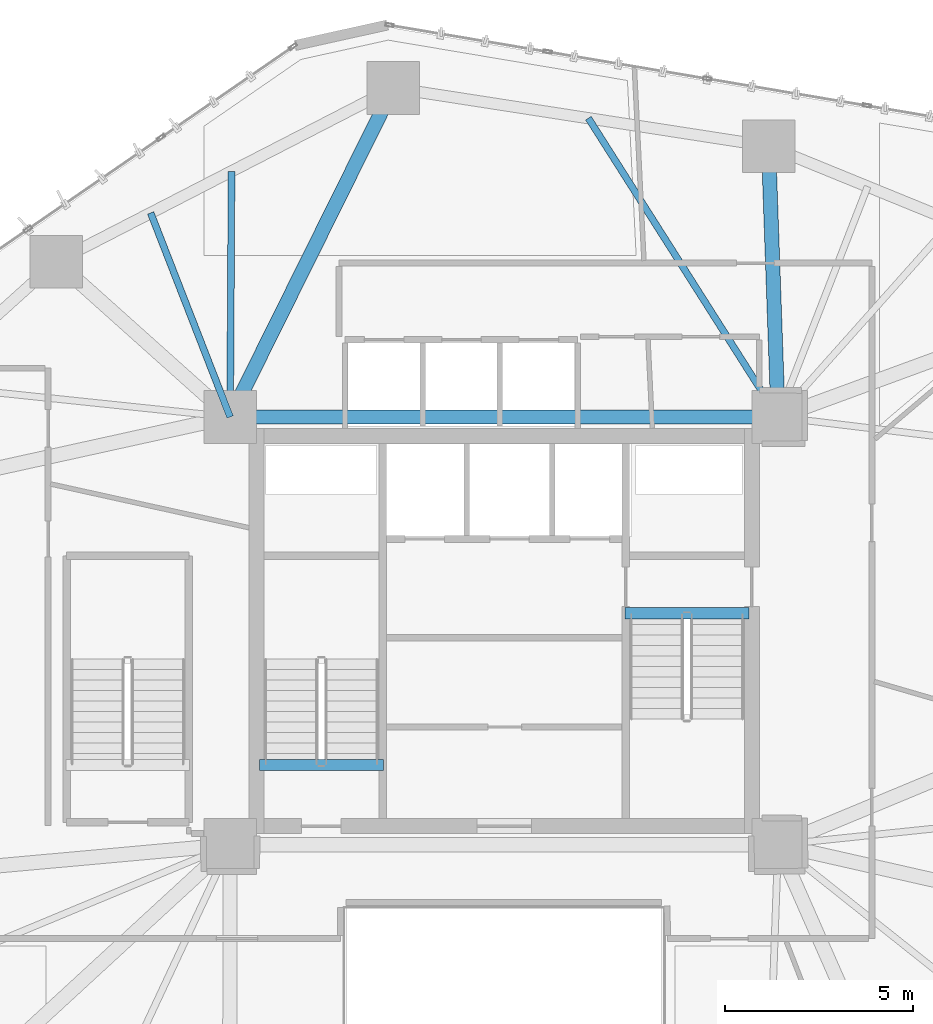
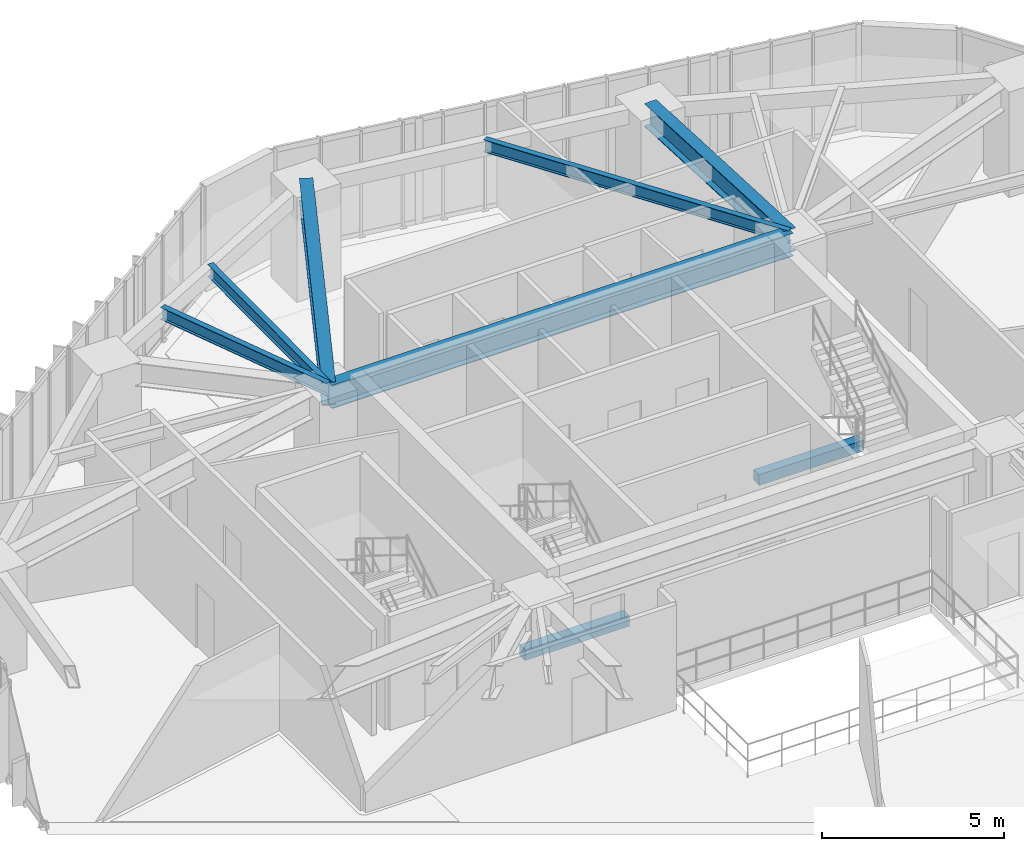
# One storey, part 7 of 21: 8 beams.
"""IFC4 building model written with IfcOpenShell, lengths in metres."""

from ifc_helpers import new_model, si_unit, direction, frame, origin, origin_2d, place, context, subcontext, project, spatial, rectangle, i_section, extrude, material, material_profile, profile_set, type_object, element, save


model = new_model("IFC4")

# Units and contexts
model_context = context("Model", 3, precision=1e-05, world=origin(), true_north=direction((0.0, 1.0)))
body_context = subcontext(model_context, "Body", "Model", "MODEL_VIEW")
ifc_project = project(units=[si_unit("LENGTHUNIT", "METRE"), si_unit("AREAUNIT", "SQUARE_METRE"), si_unit("VOLUMEUNIT", "CUBIC_METRE"), si_unit("PLANEANGLEUNIT", "RADIAN"), si_unit("MASSUNIT", "GRAM", prefix="KILO")], contexts=[model_context])

# Site, building, storey
site_placement = place(None, origin())
site = spatial("IfcSite", under=ifc_project, at=site_placement, CompositionType="ELEMENT")
building_placement = place(site_placement, origin())
building = spatial("IfcBuilding", under=site, at=building_placement, Name="Talar Marvaseh", CompositionType="ELEMENT")
storey_placement = place(building_placement, frame((0.0, 0.0, 62.0)))
storey = spatial("IfcBuildingStorey", under=building, at=storey_placement, Name="L15", CompositionType="ELEMENT", Elevation=62.0)

# Beams
ifc_material_1 = material(Name="Concrete C40/50", Category="concrete")
ifc_material_profile_1 = material_profile(ifc_material_1, rectangle(XDim=0.300048828125, YDim=0.360107421875, at=origin_2d()), Name="RC300x360")
ifc_profile_set_1 = profile_set([ifc_material_profile_1], Name="Concrete C40/50")
beam_type_1 = type_object("IfcBeamType", Name="Concrete Stair Landing Trimmer Beam RC300x360", PredefinedType="SPANDREL", material=ifc_profile_set_1)
for number, where, z_axis, x_axis, name in (
    (1, (22.780029296875, 27.6298828125, -0.179931640625), (-1.0, 0.0, 0.0), (0.0, -1.0, 0.0), "L15 ST-1 Stair Nosing Trimmer Beam"),
    (2, (29.219970703125, 31.669921875, -0.179931640625), (1.0, 0.0, 0.0), (0.0, 1.0, 0.0), "L15 ST-2 Stair Nosing Trimmer Beam"),
):
    element("IfcBeam", number, at=place(storey_placement, frame(where, z_axis=z_axis, x_axis=x_axis)), inside=storey, type_object=beam_type_1, Name=name, PredefinedType="SPANDREL", context=body_context, shape_type="SweptSolid", body=[
        extrude(rectangle(XDim=0.300048828125, YDim=0.360107421875, at=origin_2d()), origin(), (0.0, 0.0, 1.0), 3.300048828125),
    ])
ifc_material_2 = material(Name="Steel S355", Category="steel")
ifc_material_profile_2 = material_profile(ifc_material_2, i_section(OverallWidth=0.381103515625, OverallDepth=0.77294921875, WebThickness=0.0166015625, FlangeThickness=0.027099609375, at=origin_2d()), Name="W760x257")
ifc_profile_set_2 = profile_set([ifc_material_profile_2], Name="Steel S355")
beam_type_2 = type_object("IfcBeamType", Name="Zone 1 Radial Floor Girder W760x257", PredefinedType="BEAM", material=ifc_profile_set_2)
beam_1_placement = place(storey_placement, frame((18.699951171875, 36.89990234375, 3.133544921875), z_axis=(1.0, 0.0, 0.0), x_axis=(0.0, 1.0, 0.0)))
element("IfcBeam", 3, at=beam_1_placement, inside=storey, type_object=beam_type_2, Name="L15 Zone 1 Radial Floor Girder W760x257", PredefinedType="BEAM", context=body_context, shape_type="SweptSolid", body=[
    extrude(i_section(OverallWidth=0.381103515625, OverallDepth=0.77294921875, WebThickness=0.0166015625, FlangeThickness=0.027099609375, at=origin_2d()), origin(), (0.0, 0.0, 1.0), 14.60009765625),
])
beam_2_placement = place(storey_placement, frame((23.047119140625, 45.6669921875, 3.133544921875), z_axis=(-0.444237233911, -0.895909191831, 0.0), x_axis=(0.895909191831, -0.444237233911, 0.0)))
element("IfcBeam", 4, at=beam_2_placement, inside=storey, type_object=beam_type_2, Name="L15 Zone 1 Radial Floor Girder W760x257", PredefinedType="BEAM", context=body_context, shape_type="SweptSolid", body=[
    extrude(i_section(OverallWidth=0.381103515625, OverallDepth=0.77294921875, WebThickness=0.0166015625, FlangeThickness=0.027099609375, at=origin_2d()), origin(), (0.0, 0.0, 1.0), 9.78564453125),
])
beam_3_placement = place(storey_placement, frame((33.0458984375, 44.117919921875, 3.133544921875), z_axis=(0.03518874657, -0.999380684281, 0.0), x_axis=(0.999380684281, 0.03518874657, 0.0)))
element("IfcBeam", 5, at=beam_3_placement, inside=storey, type_object=beam_type_2, Name="L15 Zone 1 Radial Floor Girder W760x257", PredefinedType="BEAM", context=body_context, shape_type="SweptSolid", body=[
    extrude(i_section(OverallWidth=0.381103515625, OverallDepth=0.77294921875, WebThickness=0.0166015625, FlangeThickness=0.027099609375, at=origin_2d()), origin(), (0.0, 0.0, 1.0), 7.222412109375),
])
ifc_material_profile_3 = material_profile(ifc_material_2, i_section(OverallWidth=0.179931640625, OverallDepth=0.4130859375, WebThickness=0.009765625, FlangeThickness=0.01611328125, at=origin_2d()), Name="W410x75")
ifc_profile_set_3 = profile_set([ifc_material_profile_3], Name="Steel S355")
beam_type_3 = type_object("IfcBeamType", Name="Zone 1 Secondary Floor Joist W410x75", PredefinedType="JOIST", material=ifc_profile_set_3)
beam_4_placement = place(storey_placement, frame((16.582763671875, 42.337646484375, 3.3134765625), z_axis=(0.362819746189, -0.931859341197, 0.0), x_axis=(0.931859341197, 0.362819746189, 0.0)))
element("IfcBeam", 6, at=beam_4_placement, inside=storey, type_object=beam_type_3, Name="L15 Zone 1 Secondary Floor Joist W410x75", PredefinedType="JOIST", context=body_context, shape_type="SweptSolid", body=[
    extrude(i_section(OverallWidth=0.179931640625, OverallDepth=0.4130859375, WebThickness=0.009765625, FlangeThickness=0.01611328125, at=origin_2d()), origin(), (0.0, 0.0, 1.0), 5.83544921875),
])
beam_5_placement = place(storey_placement, frame((18.737548828125, 43.447509765625, 3.3134765625), z_axis=(-0.00574210303, -0.999983513991, 0.0), x_axis=(0.999983513991, -0.00574210303, 0.0)))
element("IfcBeam", 7, at=beam_5_placement, inside=storey, type_object=beam_type_3, Name="L15 Zone 1 Secondary Floor Joist W410x75", PredefinedType="JOIST", context=body_context, shape_type="SweptSolid", body=[
    extrude(i_section(OverallWidth=0.179931640625, OverallDepth=0.4130859375, WebThickness=0.009765625, FlangeThickness=0.01611328125, at=origin_2d()), origin(), (0.0, 0.0, 1.0), 6.547607421875),
])
beam_6_placement = place(storey_placement, frame((28.24658203125, 44.861572265625, 3.3134765625), z_axis=(0.53589010079, -0.844287747083, 0.0), x_axis=(0.844287747083, 0.53589010079, 0.0)))
element("IfcBeam", 8, at=beam_6_placement, inside=storey, type_object=beam_type_3, Name="L15 Zone 1 Secondary Floor Joist W410x75", PredefinedType="JOIST", context=body_context, shape_type="SweptSolid", body=[
    extrude(i_section(OverallWidth=0.179931640625, OverallDepth=0.4130859375, WebThickness=0.009765625, FlangeThickness=0.01611328125, at=origin_2d()), origin(), (0.0, 0.0, 1.0), 9.429931640625),
])

save(model, "model.ifc")
